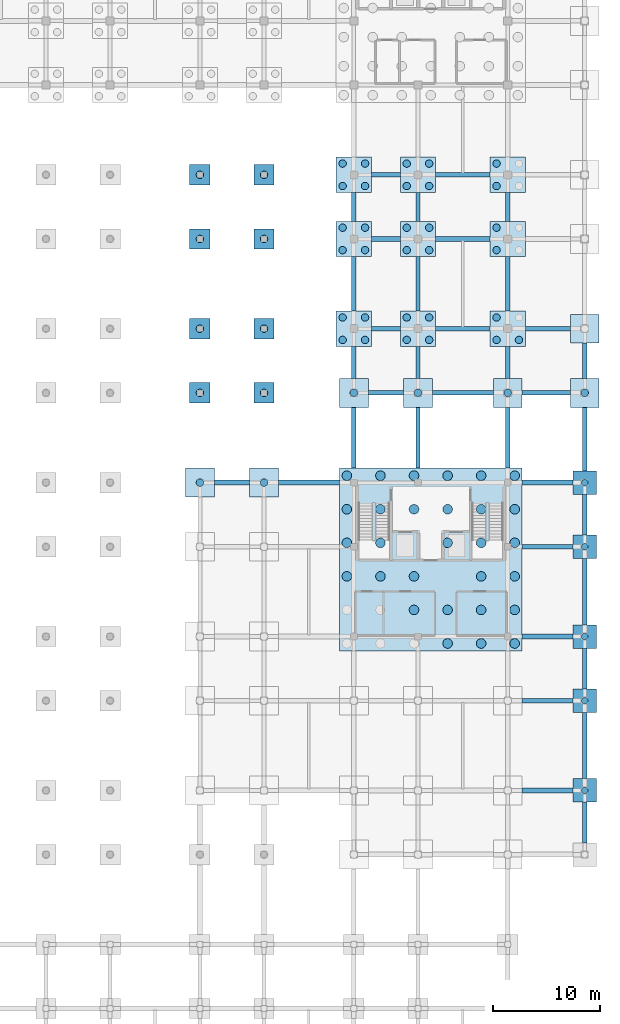
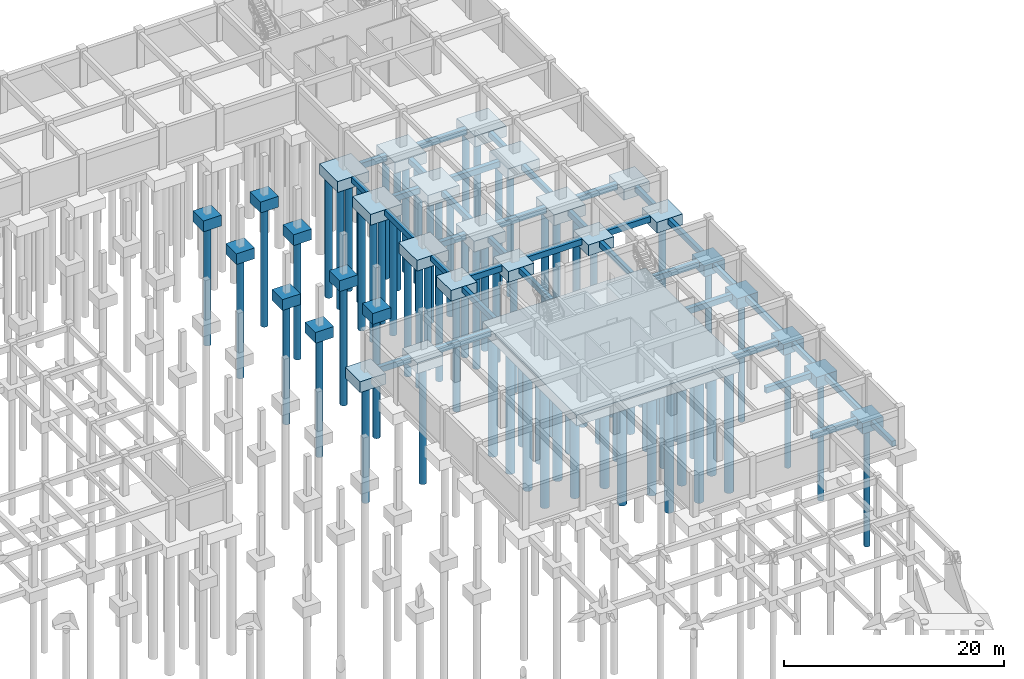
# One storey, part 12 of 40: 79 piles, 66 footings.
"""IFC4 building model written with IfcOpenShell, lengths in metres."""

import ifcopenshell
import ifcopenshell.guid

model = None  # the IFC model being written
_history = None  # IfcOwnerHistory: only IFC2X3 demands one
_inside = {}  # id of a spatial element -> (the spatial element, [elements in it])
_under = {}  # id of a project, library or spatial element -> (it, [spatial elements below it])
_declared = {}  # id of a project -> (the project, [libraries it declares])
_typed = {}  # id of a type object -> (the type object, [elements of that type])
_made_of = {}  # id of a material, layer set ... -> (it, [elements and type objects made of it])


def new_model(schema):
    """Start an empty IFC model of exactly this schema.

    Asked for "IFC4X3", IfcOpenShell would pick the latest addendum, in which some entities
    have other attributes; the version numbers below select the first issue.
    IFC2X3 requires an IfcOwnerHistory on every rooted entity: one is made here for all.
    """
    global model, _history
    if schema == "IFC4X3":
        model = ifcopenshell.file(schema_version=(4, 3, 0, 0))
    else:
        model = ifcopenshell.file(schema=schema)
    _inside.clear()
    _under.clear()
    _declared.clear()
    _typed.clear()
    _made_of.clear()
    _history = None
    if model.schema == "IFC2X3":
        org = make("IfcOrganization", Name="unknown")
        user = make(
            "IfcPersonAndOrganization",
            ThePerson=make("IfcPerson", FamilyName="unknown"),
            TheOrganization=org,
        )
        app = make(
            "IfcApplication",
            ApplicationDeveloper=org,
            Version="unknown",
            ApplicationFullName="unknown",
            ApplicationIdentifier="unknown",
        )
        _history = make(
            "IfcOwnerHistory",
            OwningUser=user,
            OwningApplication=app,
            ChangeAction="ADDED",
            CreationDate=0,
        )
    return model


def make(cls, **values):
    """One entity of the class cls with the attributes given. An attribute that is None is left unset."""
    return model.create_entity(
        cls, **{name: value for name, value in values.items() if value is not None}
    )


def rooted(cls, **values):
    """An entity with a GlobalId (a new one), such as an element, a storey or a relation."""
    return make(cls, GlobalId=ifcopenshell.guid.new(), OwnerHistory=_history, **values)


def si_unit(unit_type, name, prefix=None):
    """IfcSIUnit, for example si_unit("LENGTHUNIT", "METRE", prefix="MILLI")."""
    return make("IfcSIUnit", UnitType=unit_type, Prefix=prefix, Name=name)


def assignment(units):
    """IfcUnitAssignment: the units of a project."""
    return None if units is None else make("IfcUnitAssignment", Units=units)


def point(xyz):
    """IfcCartesianPoint."""
    return None if xyz is None else make("IfcCartesianPoint", Coordinates=xyz)


def direction(xyz):
    """IfcDirection."""
    return None if xyz is None else make("IfcDirection", DirectionRatios=xyz)


def frame(location, z_axis=None, x_axis=None):
    """IfcAxis2Placement3D, a coordinate frame: its origin and axes. An axis left out is left unset."""
    return make(
        "IfcAxis2Placement3D",
        Location=point(location),
        Axis=direction(z_axis),
        RefDirection=direction(x_axis),
    )


def frame_2d(location, x_axis=None):
    """IfcAxis2Placement2D, a coordinate frame in the plane: its origin and x axis."""
    return make(
        "IfcAxis2Placement2D", Location=point(location), RefDirection=direction(x_axis)
    )


def origin():
    """The frame at (0, 0, 0) with its axes left unset."""
    return frame((0.0, 0.0, 0.0))


def origin_2d():
    """The frame at (0, 0) in the plane with its x axis left unset."""
    return frame_2d((0.0, 0.0))


def place(relative_to, where):
    """IfcLocalPlacement: puts the frame where relative to a parent placement (None: the world)."""
    return make(
        "IfcLocalPlacement", PlacementRelTo=relative_to, RelativePlacement=where
    )


def context(
    kind, dimensions, precision=None, world=None, true_north=None, identifier=None
):
    """IfcGeometricRepresentationContext, for example the 3D "Model" context."""
    return make(
        "IfcGeometricRepresentationContext",
        ContextIdentifier=identifier,
        ContextType=kind,
        CoordinateSpaceDimension=dimensions,
        Precision=precision,
        WorldCoordinateSystem=world,
        TrueNorth=true_north,
    )


def subcontext(parent, identifier, kind, view, scale=None):
    """IfcGeometricRepresentationSubContext, for example "Body" below "Model"."""
    return make(
        "IfcGeometricRepresentationSubContext",
        ContextIdentifier=identifier,
        ContextType=kind,
        ParentContext=parent,
        TargetScale=scale,
        TargetView=view,
    )


def project(units=None, contexts=None):
    """IfcProject with its units and contexts."""
    return rooted(
        "IfcProject",
        Name="project",
        RepresentationContexts=contexts,
        UnitsInContext=assignment(units),
    )


def spatial(cls, under=None, at=None, **own):
    """A site, building, storey or space (cls), placed at a placement, below another one or the project."""
    s = rooted(cls, ObjectPlacement=at, **own)
    if under is not None:
        _under.setdefault(under.id(), (under, []))[1].append(s)
    return s


def profile(cls, at=None, kind="AREA", **sizes):
    """A parametric profile (cls). Its sizes go by their IFC names, for example OverallWidth=200.0."""
    return make(cls, ProfileType=kind, Position=at, **sizes)


def rectangle(**sizes):
    """IfcRectangleProfileDef."""
    return profile("IfcRectangleProfileDef", **sizes)


def circle(**sizes):
    """IfcCircleProfileDef."""
    return profile("IfcCircleProfileDef", **sizes)


def extrude(swept, where, along, depth):
    """IfcExtrudedAreaSolid: the profile swept, set in the frame where, extruded along a direction by depth."""
    return make(
        "IfcExtrudedAreaSolid",
        SweptArea=swept,
        Position=where,
        ExtrudedDirection=direction(along),
        Depth=depth,
    )


def shape(context_of_items, identifier, shape_type, items):
    """IfcShapeRepresentation: the items that make up one representation, for example the "Body"."""
    return make(
        "IfcShapeRepresentation",
        ContextOfItems=context_of_items,
        RepresentationIdentifier=identifier,
        RepresentationType=shape_type,
        Items=items,
    )


def material(Name=None, Category=None):
    """IfcMaterial."""
    return make("IfcMaterial", Name=Name, Category=Category)


def material_profile(
    of_material, cross_section, Name=None, Category=None, Priority=None
):
    """IfcMaterialProfile: a cross section and its material."""
    return make(
        "IfcMaterialProfile",
        Name=Name,
        Material=of_material,
        Profile=cross_section,
        Priority=Priority,
        Category=Category,
    )


def profile_set(profiles, Name=None, composite=None):
    """IfcMaterialProfileSet."""
    return make(
        "IfcMaterialProfileSet",
        Name=Name,
        MaterialProfiles=profiles,
        CompositeProfile=composite,
    )


def made_of(thing, what):
    """Note that an element or type object is made of a material, layer set ...; save() writes the relation."""
    if what is not None:
        _made_of.setdefault(what.id(), (what, []))[1].append(thing)
    return thing


def type_object(cls, material=None, **own):
    """A type object (cls), such as IfcWallType, which elements share."""
    return made_of(rooted(cls, **own), material)


def element(
    cls,
    number,
    at=None,
    inside=None,
    cuts=None,
    type_object=None,
    material=None,
    context=None,
    identifier="Body",
    shape_type=None,
    held_by="IfcProductDefinitionShape",
    body=None,
    shapes=None,
    **own,
):
    """One element of the class cls, such as IfcWall. Its Tag is "e" and its number.

    at: its placement. inside: the storey or other place that contains it. cuts: it is an
    opening in that element (IfcRelVoidsElement). A single representation is given by context,
    identifier, shape_type and body (its items); several are given by shapes. held_by: the class
    of the entity that holds the representations. save() writes the other relations.
    """
    e = rooted(cls, Tag="e%d" % number, ObjectPlacement=at, **own)
    if body is not None:
        shapes = [shape(context, identifier, shape_type, body)]
    if shapes is not None:
        e.Representation = make(held_by, Representations=shapes)
    if inside is not None:
        _inside.setdefault(inside.id(), (inside, []))[1].append(e)
    if cuts is not None:
        rooted(
            "IfcRelVoidsElement", RelatingBuildingElement=cuts, RelatedOpeningElement=e
        )
    if type_object is not None:
        _typed.setdefault(type_object.id(), (type_object, []))[1].append(e)
    return made_of(e, material)


def aggregate(whole, parts):
    """IfcRelAggregates: a whole, such as a stair, and the parts it consists of."""
    return rooted("IfcRelAggregates", RelatingObject=whole, RelatedObjects=parts)


def save(model, path):
    """Write the relations noted so far, then the file.

    IfcRelAggregates (storeys below a building ...), IfcRelContainedInSpatialStructure (elements
    in a storey), IfcRelDefinesByType, IfcRelAssociatesMaterial and IfcRelDeclares: one each for
    every whole, place, type object, material and project.
    """
    for whole, parts in _under.values():
        aggregate(whole, parts)
    for where, things in _inside.values():
        rooted(
            "IfcRelContainedInSpatialStructure",
            RelatedElements=things,
            RelatingStructure=where,
        )
    for kind, things in _typed.values():
        rooted("IfcRelDefinesByType", RelatedObjects=things, RelatingType=kind)
    for what, things in _made_of.values():
        rooted("IfcRelAssociatesMaterial", RelatedObjects=things, RelatingMaterial=what)
    for by, libraries in _declared.values():
        rooted("IfcRelDeclares", RelatingContext=by, RelatedDefinitions=libraries)
    model.write(path)


model = new_model("IFC4")

# Units and contexts
model_context = context("Model", 3, precision=1e-05, world=origin(), true_north=direction((0.0, 1.0)))
body_context = subcontext(model_context, "Body", "Model", "MODEL_VIEW")
ifc_project = project(units=[si_unit("LENGTHUNIT", "METRE"), si_unit("AREAUNIT", "SQUARE_METRE"), si_unit("VOLUMEUNIT", "CUBIC_METRE"), si_unit("PLANEANGLEUNIT", "RADIAN"), si_unit("MASSUNIT", "GRAM", prefix="KILO"), si_unit("THERMODYNAMICTEMPERATUREUNIT", "KELVIN")], contexts=[model_context])

# Site, building, storey
site_placement = place(None, origin())
site = spatial("IfcSite", under=ifc_project, at=site_placement, CompositionType="ELEMENT")
building_placement = place(site_placement, origin())
building = spatial("IfcBuilding", under=site, at=building_placement, Name="Thalorik Housing Commons", CompositionType="ELEMENT")
storey_placement = place(building_placement, frame((0.0, 0.0, -4.199951171875)))
storey = spatial("IfcBuildingStorey", under=building, at=storey_placement, Name="B1", CompositionType="ELEMENT", Elevation=-4.199951171875)

# Footings
ifc_material = material(Name="Concrete C40/50", Category="concrete")
footing_type_1 = type_object("IfcFootingType", Name="STR-CAP-17100x17100", PredefinedType="PILE_CAP", material=ifc_material)
footing_1_placement = place(storey_placement, frame((159.60009765625, 64.800048828125, -1.64990234375), z_axis=(0.0, 0.0, 1.0), x_axis=(1.0, 0.0, 0.0)))
element("IfcFooting", 1, at=footing_1_placement, inside=storey, type_object=footing_type_1, Name="B1 Pile Cap 130", PredefinedType="PILE_CAP", context=body_context, shape_type="SweptSolid", body=[
    extrude(rectangle(XDim=17.10009765625, YDim=17.10009765625, at=origin_2d()), origin(), (0.0, 0.0, 1.0), 1.199951171875),
])
footing_type_2 = type_object("IfcFootingType", Name="STR-CAP-1900x1900", PredefinedType="PILE_CAP", material=ifc_material)
for number, where, z_axis, x_axis, name in (
    (2, (138.0, 80.39990234375, -1.64990234375), (0.0, 0.0, 1.0), (1.0, 0.0, 0.0), "B1 Plaza Pile Cap 54"),
    (3, (138.0, 86.39990234375, -1.64990234375), (0.0, 0.0, 1.0), (1.0, 0.0, 0.0), "B1 Plaza Pile Cap 55"),
    (4, (138.0, 94.800048828125, -1.64990234375), (0.0, 0.0, 1.0), (1.0, 0.0, 0.0), "B1 Plaza Pile Cap 56"),
    (5, (138.0, 100.800048828125, -1.64990234375), (0.0, 0.0, 1.0), (1.0, 0.0, 0.0), "B1 Plaza Pile Cap 57"),
    (6, (144.0, 80.39990234375, -1.64990234375), (0.0, 0.0, 1.0), (1.0, 0.0, 0.0), "B1 Plaza Pile Cap 59"),
    (7, (144.0, 86.39990234375, -1.64990234375), (0.0, 0.0, 1.0), (1.0, 0.0, 0.0), "B1 Plaza Pile Cap 60"),
    (8, (144.0, 94.800048828125, -1.64990234375), (0.0, 0.0, 1.0), (1.0, 0.0, 0.0), "B1 Plaza Pile Cap 61"),
    (9, (144.0, 100.800048828125, -1.64990234375), (0.0, 0.0, 1.0), (1.0, 0.0, 0.0), "B1 Plaza Pile Cap 62"),
):
    element("IfcFooting", number, at=place(storey_placement, frame(where, z_axis=z_axis, x_axis=x_axis)), inside=storey, type_object=footing_type_2, Name=name, PredefinedType="PILE_CAP", context=body_context, shape_type="SweptSolid", body=[
        extrude(rectangle(XDim=1.89990234375, YDim=1.89990234375, at=origin_2d()), origin(), (0.0, 0.0, 1.0), 1.199951171875),
    ])
footing_type_3 = type_object("IfcFootingType", Name="STR-CAP-2200x2200", PredefinedType="PILE_CAP", material=ifc_material)
for number, where, z_axis, x_axis, name in (
    (10, (174.0, 43.199951171875, -1.64990234375), (0.0, 0.0, 1.0), (1.0, 0.0, 0.0), "B1 Pile Cap 103"),
    (11, (174.0, 51.60009765625, -1.64990234375), (0.0, 0.0, 1.0), (1.0, 0.0, 0.0), "B1 Pile Cap 118"),
    (12, (174.0, 57.60009765625, -1.64990234375), (0.0, 0.0, 1.0), (1.0, 0.0, 0.0), "B1 Pile Cap 131"),
    (13, (174.0, 66.0, -1.64990234375), (0.0, 0.0, 1.0), (1.0, 0.0, 0.0), "B1 Pile Cap 148"),
    (14, (174.0, 72.0, -1.64990234375), (0.0, 0.0, 1.0), (1.0, 0.0, 0.0), "B1 Pile Cap 163"),
):
    element("IfcFooting", number, at=place(storey_placement, frame(where, z_axis=z_axis, x_axis=x_axis)), inside=storey, type_object=footing_type_3, Name=name, PredefinedType="PILE_CAP", context=body_context, shape_type="SweptSolid", body=[
        extrude(rectangle(XDim=2.199951171875, YDim=2.199951171875, at=origin_2d()), origin(), (0.0, 0.0, 1.0), 1.199951171875),
    ])
footing_type_4 = type_object("IfcFootingType", Name="STR-CAP-2700x2700", PredefinedType="PILE_CAP", material=ifc_material)
for number, where, z_axis, x_axis, name in (
    (15, (138.0, 72.0, -1.64990234375), (0.0, 0.0, 1.0), (1.0, 0.0, 0.0), "B1 Pile Cap 158"),
    (16, (144.0, 72.0, -1.64990234375), (0.0, 0.0, 1.0), (1.0, 0.0, 0.0), "B1 Pile Cap 159"),
    (17, (152.39990234375, 80.39990234375, -1.64990234375), (0.0, 0.0, 1.0), (1.0, 0.0, 0.0), "B1 Pile Cap 172"),
    (18, (158.39990234375, 80.39990234375, -1.64990234375), (0.0, 0.0, 1.0), (1.0, 0.0, 0.0), "B1 Pile Cap 173"),
    (19, (166.800048828125, 80.39990234375, -1.64990234375), (0.0, 0.0, 1.0), (1.0, 0.0, 0.0), "B1 Pile Cap 174"),
    (20, (174.0, 80.39990234375, -1.64990234375), (0.0, 0.0, 1.0), (1.0, 0.0, 0.0), "B1 Pile Cap 175"),
    (21, (174.0, 86.39990234375, -1.64990234375), (0.0, 0.0, 1.0), (1.0, 0.0, 0.0), "B1 Pile Cap 194"),
):
    element("IfcFooting", number, at=place(storey_placement, frame(where, z_axis=z_axis, x_axis=x_axis)), inside=storey, type_object=footing_type_4, Name=name, PredefinedType="PILE_CAP", context=body_context, shape_type="SweptSolid", body=[
        extrude(rectangle(XDim=2.699951171875, YDim=2.699951171875, at=origin_2d()), origin(), (0.0, 0.0, 1.0), 1.199951171875),
    ])
footing_type_5 = type_object("IfcFootingType", Name="STR-CAP-3300x3300", PredefinedType="PILE_CAP", material=ifc_material)
for number, where, z_axis, x_axis, name in (
    (22, (152.39990234375, 86.39990234375, -1.64990234375), (0.0, 0.0, 1.0), (1.0, 0.0, 0.0), "B1 Pile Cap 191"),
    (23, (158.39990234375, 86.39990234375, -1.64990234375), (0.0, 0.0, 1.0), (1.0, 0.0, 0.0), "B1 Pile Cap 192"),
    (24, (166.800048828125, 86.39990234375, -1.64990234375), (0.0, 0.0, 1.0), (1.0, 0.0, 0.0), "B1 Pile Cap 193"),
    (25, (152.39990234375, 94.800048828125, -1.64990234375), (0.0, 0.0, 1.0), (1.0, 0.0, 0.0), "B1 Pile Cap 211"),
    (26, (158.39990234375, 94.800048828125, -1.64990234375), (0.0, 0.0, 1.0), (1.0, 0.0, 0.0), "B1 Pile Cap 212"),
    (27, (166.800048828125, 94.800048828125, -1.64990234375), (0.0, 0.0, 1.0), (1.0, 0.0, 0.0), "B1 Pile Cap 213"),
    (28, (152.39990234375, 100.800048828125, -1.64990234375), (0.0, 0.0, 1.0), (1.0, 0.0, 0.0), "B1 Pile Cap 224"),
    (29, (158.39990234375, 100.800048828125, -1.64990234375), (0.0, 0.0, 1.0), (1.0, 0.0, 0.0), "B1 Pile Cap 225"),
    (30, (166.800048828125, 100.800048828125, -1.64990234375), (0.0, 0.0, 1.0), (1.0, 0.0, 0.0), "B1 Pile Cap 226"),
):
    element("IfcFooting", number, at=place(storey_placement, frame(where, z_axis=z_axis, x_axis=x_axis)), inside=storey, type_object=footing_type_5, Name=name, PredefinedType="PILE_CAP", context=body_context, shape_type="SweptSolid", body=[
        extrude(rectangle(XDim=3.300048828125, YDim=3.300048828125, at=origin_2d()), origin(), (0.0, 0.0, 1.0), 1.199951171875),
    ])
ifc_material_profile_1 = material_profile(ifc_material, rectangle(XDim=0.39990234375, YDim=0.60009765625, at=origin_2d()), Name="RC 400x600", Category="concrete")
ifc_profile_set_1 = profile_set([ifc_material_profile_1], Name="Concrete C40/50")
footing_type_6 = type_object("IfcFootingType", Name="STR-GB-400", PredefinedType="FOOTING_BEAM", material=ifc_profile_set_1)
footing_2_placement = place(storey_placement, frame((152.39990234375, 73.35009765625, -0.75), z_axis=(0.0, 1.0, 0.0), x_axis=(-1.0, 0.0, 0.0)))
element("IfcFooting", 31, at=footing_2_placement, inside=storey, type_object=footing_type_6, Name="B1 Ground Tie-Beam Y 474", PredefinedType="FOOTING_BEAM", context=body_context, shape_type="SweptSolid", body=[
    extrude(rectangle(XDim=0.39990234375, YDim=0.60009765625, at=origin_2d()), origin(), (0.0, 0.0, 1.0), 5.699951171875),
])
footing_3_placement = place(storey_placement, frame((152.39990234375, 81.75, -0.75), z_axis=(0.0, 1.0, 0.0), x_axis=(-1.0, 0.0, 0.0)))
element("IfcFooting", 32, at=footing_3_placement, inside=storey, type_object=footing_type_6, Name="B1 Ground Tie-Beam Y 475", PredefinedType="FOOTING_BEAM", context=body_context, shape_type="SweptSolid", body=[
    extrude(rectangle(XDim=0.39990234375, YDim=0.60009765625, at=origin_2d()), origin(), (0.0, 0.0, 1.0), 3.0),
])
footing_4_placement = place(storey_placement, frame((152.39990234375, 88.050048828125, -0.75), z_axis=(0.0, 1.0, 0.0), x_axis=(-1.0, 0.0, 0.0)))
element("IfcFooting", 33, at=footing_4_placement, inside=storey, type_object=footing_type_6, Name="B1 Ground Tie-Beam Y 476", PredefinedType="FOOTING_BEAM", context=body_context, shape_type="SweptSolid", body=[
    extrude(rectangle(XDim=0.39990234375, YDim=0.60009765625, at=origin_2d()), origin(), (0.0, 0.0, 1.0), 5.099853515625),
])
footing_5_placement = place(storey_placement, frame((152.39990234375, 96.449951171875, -0.75), z_axis=(0.0, 1.0, 0.0), x_axis=(-1.0, 0.0, 0.0)))
element("IfcFooting", 34, at=footing_5_placement, inside=storey, type_object=footing_type_6, Name="B1 Ground Tie-Beam Y 477", PredefinedType="FOOTING_BEAM", context=body_context, shape_type="SweptSolid", body=[
    extrude(rectangle(XDim=0.39990234375, YDim=0.60009765625, at=origin_2d()), origin(), (0.0, 0.0, 1.0), 2.699951171875),
])
footing_6_placement = place(storey_placement, frame((158.39990234375, 73.35009765625, -0.75), z_axis=(0.0, 1.0, 0.0), x_axis=(-1.0, 0.0, 0.0)))
element("IfcFooting", 35, at=footing_6_placement, inside=storey, type_object=footing_type_6, Name="B1 Ground Tie-Beam Y 486", PredefinedType="FOOTING_BEAM", context=body_context, shape_type="SweptSolid", body=[
    extrude(rectangle(XDim=0.39990234375, YDim=0.60009765625, at=origin_2d()), origin(), (0.0, 0.0, 1.0), 5.699951171875),
])
footing_7_placement = place(storey_placement, frame((158.39990234375, 81.75, -0.75), z_axis=(0.0, 1.0, 0.0), x_axis=(-1.0, 0.0, 0.0)))
element("IfcFooting", 36, at=footing_7_placement, inside=storey, type_object=footing_type_6, Name="B1 Ground Tie-Beam Y 487", PredefinedType="FOOTING_BEAM", context=body_context, shape_type="SweptSolid", body=[
    extrude(rectangle(XDim=0.39990234375, YDim=0.60009765625, at=origin_2d()), origin(), (0.0, 0.0, 1.0), 3.0),
])
footing_8_placement = place(storey_placement, frame((158.39990234375, 88.050048828125, -0.75), z_axis=(0.0, 1.0, 0.0), x_axis=(-1.0, 0.0, 0.0)))
element("IfcFooting", 37, at=footing_8_placement, inside=storey, type_object=footing_type_6, Name="B1 Ground Tie-Beam Y 488", PredefinedType="FOOTING_BEAM", context=body_context, shape_type="SweptSolid", body=[
    extrude(rectangle(XDim=0.39990234375, YDim=0.60009765625, at=origin_2d()), origin(), (0.0, 0.0, 1.0), 5.099853515625),
])
footing_9_placement = place(storey_placement, frame((158.39990234375, 96.449951171875, -0.75), z_axis=(0.0, 1.0, 0.0), x_axis=(-1.0, 0.0, 0.0)))
element("IfcFooting", 38, at=footing_9_placement, inside=storey, type_object=footing_type_6, Name="B1 Ground Tie-Beam Y 489", PredefinedType="FOOTING_BEAM", context=body_context, shape_type="SweptSolid", body=[
    extrude(rectangle(XDim=0.39990234375, YDim=0.60009765625, at=origin_2d()), origin(), (0.0, 0.0, 1.0), 2.699951171875),
])
footing_10_placement = place(storey_placement, frame((166.800048828125, 73.35009765625, -0.75), z_axis=(0.0, 1.0, 0.0), x_axis=(-1.0, 0.0, 0.0)))
element("IfcFooting", 39, at=footing_10_placement, inside=storey, type_object=footing_type_6, Name="B1 Ground Tie-Beam Y 497", PredefinedType="FOOTING_BEAM", context=body_context, shape_type="SweptSolid", body=[
    extrude(rectangle(XDim=0.39990234375, YDim=0.60009765625, at=origin_2d()), origin(), (0.0, 0.0, 1.0), 5.699951171875),
])
footing_11_placement = place(storey_placement, frame((166.800048828125, 81.75, -0.75), z_axis=(0.0, 1.0, 0.0), x_axis=(-1.0, 0.0, 0.0)))
element("IfcFooting", 40, at=footing_11_placement, inside=storey, type_object=footing_type_6, Name="B1 Ground Tie-Beam Y 498", PredefinedType="FOOTING_BEAM", context=body_context, shape_type="SweptSolid", body=[
    extrude(rectangle(XDim=0.39990234375, YDim=0.60009765625, at=origin_2d()), origin(), (0.0, 0.0, 1.0), 3.0),
])
footing_12_placement = place(storey_placement, frame((166.800048828125, 88.050048828125, -0.75), z_axis=(0.0, 1.0, 0.0), x_axis=(-1.0, 0.0, 0.0)))
element("IfcFooting", 41, at=footing_12_placement, inside=storey, type_object=footing_type_6, Name="B1 Ground Tie-Beam Y 499", PredefinedType="FOOTING_BEAM", context=body_context, shape_type="SweptSolid", body=[
    extrude(rectangle(XDim=0.39990234375, YDim=0.60009765625, at=origin_2d()), origin(), (0.0, 0.0, 1.0), 5.099853515625),
])
footing_13_placement = place(storey_placement, frame((166.800048828125, 96.449951171875, -0.75), z_axis=(0.0, 1.0, 0.0), x_axis=(-1.0, 0.0, 0.0)))
element("IfcFooting", 42, at=footing_13_placement, inside=storey, type_object=footing_type_6, Name="B1 Ground Tie-Beam Y 500", PredefinedType="FOOTING_BEAM", context=body_context, shape_type="SweptSolid", body=[
    extrude(rectangle(XDim=0.39990234375, YDim=0.60009765625, at=origin_2d()), origin(), (0.0, 0.0, 1.0), 2.699951171875),
])
footing_14_placement = place(storey_placement, frame((174.0, 38.300048828125, -0.75), z_axis=(0.0, 1.0, 0.0), x_axis=(-1.0, 0.0, 0.0)))
element("IfcFooting", 43, at=footing_14_placement, inside=storey, type_object=footing_type_6, Name="B1 Ground Tie-Beam Y 502", PredefinedType="FOOTING_BEAM", context=body_context, shape_type="SweptSolid", body=[
    extrude(rectangle(XDim=0.39990234375, YDim=0.60009765625, at=origin_2d()), origin(), (0.0, 0.0, 1.0), 3.800048828125),
])
footing_15_placement = place(storey_placement, frame((174.0, 44.300048828125, -0.75), z_axis=(0.0, 1.0, 0.0), x_axis=(-1.0, 0.0, 0.0)))
element("IfcFooting", 44, at=footing_15_placement, inside=storey, type_object=footing_type_6, Name="B1 Ground Tie-Beam Y 503", PredefinedType="FOOTING_BEAM", context=body_context, shape_type="SweptSolid", body=[
    extrude(rectangle(XDim=0.39990234375, YDim=0.60009765625, at=origin_2d()), origin(), (0.0, 0.0, 1.0), 6.199951171875),
])
footing_16_placement = place(storey_placement, frame((174.0, 52.699951171875, -0.75), z_axis=(0.0, 1.0, 0.0), x_axis=(-1.0, 0.0, 0.0)))
element("IfcFooting", 45, at=footing_16_placement, inside=storey, type_object=footing_type_6, Name="B1 Ground Tie-Beam Y 504", PredefinedType="FOOTING_BEAM", context=body_context, shape_type="SweptSolid", body=[
    extrude(rectangle(XDim=0.39990234375, YDim=0.60009765625, at=origin_2d()), origin(), (0.0, 0.0, 1.0), 3.800048828125),
])
footing_17_placement = place(storey_placement, frame((174.0, 58.699951171875, -0.75), z_axis=(0.0, 1.0, 0.0), x_axis=(-1.0, 0.0, 0.0)))
element("IfcFooting", 46, at=footing_17_placement, inside=storey, type_object=footing_type_6, Name="B1 Ground Tie-Beam Y 505", PredefinedType="FOOTING_BEAM", context=body_context, shape_type="SweptSolid", body=[
    extrude(rectangle(XDim=0.39990234375, YDim=0.60009765625, at=origin_2d()), origin(), (0.0, 0.0, 1.0), 6.199951171875),
])
footing_18_placement = place(storey_placement, frame((174.0, 67.10009765625, -0.75), z_axis=(0.0, 1.0, 0.0), x_axis=(-1.0, 0.0, 0.0)))
element("IfcFooting", 47, at=footing_18_placement, inside=storey, type_object=footing_type_6, Name="B1 Ground Tie-Beam Y 506", PredefinedType="FOOTING_BEAM", context=body_context, shape_type="SweptSolid", body=[
    extrude(rectangle(XDim=0.39990234375, YDim=0.60009765625, at=origin_2d()), origin(), (0.0, 0.0, 1.0), 3.7998046875),
])
footing_19_placement = place(storey_placement, frame((174.0, 73.10009765625, -0.75), z_axis=(0.0, 1.0, 0.0), x_axis=(-1.0, 0.0, 0.0)))
element("IfcFooting", 48, at=footing_19_placement, inside=storey, type_object=footing_type_6, Name="B1 Ground Tie-Beam Y 507", PredefinedType="FOOTING_BEAM", context=body_context, shape_type="SweptSolid", body=[
    extrude(rectangle(XDim=0.39990234375, YDim=0.60009765625, at=origin_2d()), origin(), (0.0, 0.0, 1.0), 5.949951171875),
])
footing_20_placement = place(storey_placement, frame((174.0, 81.75, -0.75), z_axis=(0.0, 1.0, 0.0), x_axis=(-1.0, 0.0, 0.0)))
element("IfcFooting", 49, at=footing_20_placement, inside=storey, type_object=footing_type_6, Name="B1 Ground Tie-Beam Y 508", PredefinedType="FOOTING_BEAM", context=body_context, shape_type="SweptSolid", body=[
    extrude(rectangle(XDim=0.39990234375, YDim=0.60009765625, at=origin_2d()), origin(), (0.0, 0.0, 1.0), 3.300048828125),
])
ifc_material_profile_2 = material_profile(ifc_material, rectangle(XDim=0.449951171875, YDim=0.64990234375, at=origin_2d()), Name="RC 450x650", Category="concrete")
ifc_profile_set_2 = profile_set([ifc_material_profile_2], Name="Concrete C40/50")
footing_type_7 = type_object("IfcFootingType", Name="STR-GB-500", PredefinedType="FOOTING_BEAM", material=ifc_profile_set_2)
for number, where, z_axis, x_axis, name in (
    (50, (168.14990234375, 43.199951171875, -0.775146484375), (1.0, 0.0, 0.0), (0.0, 1.0, 0.0), "B1 Ground Tie-Beam X 99"),
    (51, (168.14990234375, 51.60009765625, -0.775146484375), (1.0, 0.0, 0.0), (0.0, 1.0, 0.0), "B1 Ground Tie-Beam X 112"),
    (52, (168.14990234375, 57.60009765625, -0.775146484375), (1.0, 0.0, 0.0), (0.0, 1.0, 0.0), "B1 Ground Tie-Beam X 126"),
    (53, (168.14990234375, 66.0, -0.775146484375), (1.0, 0.0, 0.0), (0.0, 1.0, 0.0), "B1 Ground Tie-Beam X 142"),
):
    element("IfcFooting", number, at=place(storey_placement, frame(where, z_axis=z_axis, x_axis=x_axis)), inside=storey, type_object=footing_type_7, Name=name, PredefinedType="FOOTING_BEAM", context=body_context, shape_type="SweptSolid", body=[
        extrude(rectangle(XDim=0.449951171875, YDim=0.64990234375, at=origin_2d()), origin(), (0.0, 0.0, 1.0), 4.75),
    ])
footing_21_placement = place(storey_placement, frame((139.35009765625, 72.0, -0.775146484375), z_axis=(1.0, 0.0, 0.0), x_axis=(0.0, 1.0, 0.0)))
element("IfcFooting", 54, at=footing_21_placement, inside=storey, type_object=footing_type_7, Name="B1 Ground Tie-Beam X 153", PredefinedType="FOOTING_BEAM", context=body_context, shape_type="SweptSolid", body=[
    extrude(rectangle(XDim=0.449951171875, YDim=0.64990234375, at=origin_2d()), origin(), (0.0, 0.0, 1.0), 3.2998046875),
])
footing_22_placement = place(storey_placement, frame((145.35009765625, 72.0, -0.775146484375), z_axis=(1.0, 0.0, 0.0), x_axis=(0.0, 1.0, 0.0)))
element("IfcFooting", 55, at=footing_22_placement, inside=storey, type_object=footing_type_7, Name="B1 Ground Tie-Beam X 154", PredefinedType="FOOTING_BEAM", context=body_context, shape_type="SweptSolid", body=[
    extrude(rectangle(XDim=0.449951171875, YDim=0.64990234375, at=origin_2d()), origin(), (0.0, 0.0, 1.0), 5.699951171875),
])
footing_23_placement = place(storey_placement, frame((168.14990234375, 72.0, -0.775146484375), z_axis=(1.0, 0.0, 0.0), x_axis=(0.0, 1.0, 0.0)))
element("IfcFooting", 56, at=footing_23_placement, inside=storey, type_object=footing_type_7, Name="B1 Ground Tie-Beam X 155", PredefinedType="FOOTING_BEAM", context=body_context, shape_type="SweptSolid", body=[
    extrude(rectangle(XDim=0.449951171875, YDim=0.64990234375, at=origin_2d()), origin(), (0.0, 0.0, 1.0), 4.75),
])
footing_24_placement = place(storey_placement, frame((153.75, 80.39990234375, -0.775146484375), z_axis=(1.0, 0.0, 0.0), x_axis=(0.0, 1.0, 0.0)))
element("IfcFooting", 57, at=footing_24_placement, inside=storey, type_object=footing_type_7, Name="B1 Ground Tie-Beam X 166", PredefinedType="FOOTING_BEAM", context=body_context, shape_type="SweptSolid", body=[
    extrude(rectangle(XDim=0.449951171875, YDim=0.64990234375, at=origin_2d()), origin(), (0.0, 0.0, 1.0), 3.300048828125),
])
footing_25_placement = place(storey_placement, frame((159.75, 80.39990234375, -0.775146484375), z_axis=(1.0, 0.0, 0.0), x_axis=(0.0, 1.0, 0.0)))
element("IfcFooting", 58, at=footing_25_placement, inside=storey, type_object=footing_type_7, Name="B1 Ground Tie-Beam X 167", PredefinedType="FOOTING_BEAM", context=body_context, shape_type="SweptSolid", body=[
    extrude(rectangle(XDim=0.449951171875, YDim=0.64990234375, at=origin_2d()), origin(), (0.0, 0.0, 1.0), 5.699951171875),
])
footing_26_placement = place(storey_placement, frame((168.14990234375, 80.39990234375, -0.775146484375), z_axis=(1.0, 0.0, 0.0), x_axis=(0.0, 1.0, 0.0)))
element("IfcFooting", 59, at=footing_26_placement, inside=storey, type_object=footing_type_7, Name="B1 Ground Tie-Beam X 168", PredefinedType="FOOTING_BEAM", context=body_context, shape_type="SweptSolid", body=[
    extrude(rectangle(XDim=0.449951171875, YDim=0.64990234375, at=origin_2d()), origin(), (0.0, 0.0, 1.0), 4.5),
])
footing_27_placement = place(storey_placement, frame((154.050048828125, 86.39990234375, -0.775146484375), z_axis=(1.0, 0.0, 0.0), x_axis=(0.0, 1.0, 0.0)))
element("IfcFooting", 60, at=footing_27_placement, inside=storey, type_object=footing_type_7, Name="B1 Ground Tie-Beam X 184", PredefinedType="FOOTING_BEAM", context=body_context, shape_type="SweptSolid", body=[
    extrude(rectangle(XDim=0.449951171875, YDim=0.64990234375, at=origin_2d()), origin(), (0.0, 0.0, 1.0), 2.699951171875),
])
footing_28_placement = place(storey_placement, frame((160.050048828125, 86.39990234375, -0.775146484375), z_axis=(1.0, 0.0, 0.0), x_axis=(0.0, 1.0, 0.0)))
element("IfcFooting", 61, at=footing_28_placement, inside=storey, type_object=footing_type_7, Name="B1 Ground Tie-Beam X 185", PredefinedType="FOOTING_BEAM", context=body_context, shape_type="SweptSolid", body=[
    extrude(rectangle(XDim=0.449951171875, YDim=0.64990234375, at=origin_2d()), origin(), (0.0, 0.0, 1.0), 5.099853515625),
])
footing_29_placement = place(storey_placement, frame((168.449951171875, 86.39990234375, -0.775146484375), z_axis=(1.0, 0.0, 0.0), x_axis=(0.0, 1.0, 0.0)))
element("IfcFooting", 62, at=footing_29_placement, inside=storey, type_object=footing_type_7, Name="B1 Ground Tie-Beam X 186", PredefinedType="FOOTING_BEAM", context=body_context, shape_type="SweptSolid", body=[
    extrude(rectangle(XDim=0.449951171875, YDim=0.64990234375, at=origin_2d()), origin(), (0.0, 0.0, 1.0), 4.199951171875),
])
footing_30_placement = place(storey_placement, frame((154.050048828125, 94.800048828125, -0.775146484375), z_axis=(1.0, 0.0, 0.0), x_axis=(0.0, 1.0, 0.0)))
element("IfcFooting", 63, at=footing_30_placement, inside=storey, type_object=footing_type_7, Name="B1 Ground Tie-Beam X 195", PredefinedType="FOOTING_BEAM", context=body_context, shape_type="SweptSolid", body=[
    extrude(rectangle(XDim=0.449951171875, YDim=0.64990234375, at=origin_2d()), origin(), (0.0, 0.0, 1.0), 2.699951171875),
])
footing_31_placement = place(storey_placement, frame((160.050048828125, 94.800048828125, -0.775146484375), z_axis=(1.0, 0.0, 0.0), x_axis=(0.0, 1.0, 0.0)))
element("IfcFooting", 64, at=footing_31_placement, inside=storey, type_object=footing_type_7, Name="B1 Ground Tie-Beam X 196", PredefinedType="FOOTING_BEAM", context=body_context, shape_type="SweptSolid", body=[
    extrude(rectangle(XDim=0.449951171875, YDim=0.64990234375, at=origin_2d()), origin(), (0.0, 0.0, 1.0), 5.099853515625),
])
footing_32_placement = place(storey_placement, frame((154.050048828125, 100.800048828125, -0.775146484375), z_axis=(1.0, 0.0, 0.0), x_axis=(0.0, 1.0, 0.0)))
element("IfcFooting", 65, at=footing_32_placement, inside=storey, type_object=footing_type_7, Name="B1 Ground Tie-Beam X 206", PredefinedType="FOOTING_BEAM", context=body_context, shape_type="SweptSolid", body=[
    extrude(rectangle(XDim=0.449951171875, YDim=0.64990234375, at=origin_2d()), origin(), (0.0, 0.0, 1.0), 2.699951171875),
])
footing_33_placement = place(storey_placement, frame((160.050048828125, 100.800048828125, -0.775146484375), z_axis=(1.0, 0.0, 0.0), x_axis=(0.0, 1.0, 0.0)))
element("IfcFooting", 66, at=footing_33_placement, inside=storey, type_object=footing_type_7, Name="B1 Ground Tie-Beam X 207", PredefinedType="FOOTING_BEAM", context=body_context, shape_type="SweptSolid", body=[
    extrude(rectangle(XDim=0.449951171875, YDim=0.64990234375, at=origin_2d()), origin(), (0.0, 0.0, 1.0), 5.099853515625),
])

# Piles
ifc_material_profile_3 = material_profile(ifc_material, circle(Radius=0.300048828125, at=origin_2d()), Name="BORED PILE D600", Category="concrete")
ifc_profile_set_3 = profile_set([ifc_material_profile_3], Name="Concrete C40/50")
pile_type_1 = type_object("IfcPileType", Name="STR-PILE-D600", PredefinedType="BORED", material=ifc_profile_set_3)
for number, where, z_axis, x_axis, name in (
    (67, (174.0, 43.199951171875, -1.550048828125), (0.0, 0.0, -1.0), (1.0, 0.0, 0.0), "B1 Bored Pile 246"),
    (68, (174.0, 51.60009765625, -1.550048828125), (0.0, 0.0, -1.0), (1.0, 0.0, 0.0), "B1 Bored Pile 261"),
    (69, (174.0, 57.60009765625, -1.550048828125), (0.0, 0.0, -1.0), (1.0, 0.0, 0.0), "B1 Bored Pile 307"),
    (70, (174.0, 66.0, -1.550048828125), (0.0, 0.0, -1.0), (1.0, 0.0, 0.0), "B1 Bored Pile 385"),
    (71, (174.0, 72.0, -1.550048828125), (0.0, 0.0, -1.0), (1.0, 0.0, 0.0), "B1 Bored Pile 400"),
):
    element("IfcPile", number, at=place(storey_placement, frame(where, z_axis=z_axis, x_axis=x_axis)), inside=storey, type_object=pile_type_1, Name=name, PredefinedType="BORED", context=body_context, shape_type="SweptSolid", body=[
        extrude(circle(Radius=0.300048828125, at=origin_2d()), origin(), (0.0, 0.0, 1.0), 13.449951171875),
    ])
ifc_material_profile_4 = material_profile(ifc_material, circle(Radius=0.35009765625, at=origin_2d()), Name="BORED PILE D700", Category="concrete")
ifc_profile_set_4 = profile_set([ifc_material_profile_4], Name="Concrete C40/50")
pile_type_2 = type_object("IfcPileType", Name="STR-PILE-D700", PredefinedType="BORED", material=ifc_profile_set_4)
for number, where, z_axis, x_axis, name in (
    (72, (138.0, 72.0, -1.550048828125), (0.0, 0.0, -1.0), (1.0, 0.0, 0.0), "B1 Bored Pile 395"),
    (73, (144.0, 72.0, -1.550048828125), (0.0, 0.0, -1.0), (1.0, 0.0, 0.0), "B1 Bored Pile 396"),
    (74, (152.39990234375, 80.39990234375, -1.550048828125), (0.0, 0.0, -1.0), (1.0, 0.0, 0.0), "B1 Bored Pile 409"),
    (75, (158.39990234375, 80.39990234375, -1.550048828125), (0.0, 0.0, -1.0), (1.0, 0.0, 0.0), "B1 Bored Pile 410"),
    (76, (166.800048828125, 80.39990234375, -1.550048828125), (0.0, 0.0, -1.0), (1.0, 0.0, 0.0), "B1 Bored Pile 411"),
    (77, (174.0, 80.39990234375, -1.550048828125), (0.0, 0.0, -1.0), (1.0, 0.0, 0.0), "B1 Bored Pile 412"),
    (78, (151.35009765625, 85.35009765625, -1.550048828125), (0.0, 0.0, -1.0), (1.0, 0.0, 0.0), "B1 Bored Pile 437"),
    (79, (151.35009765625, 87.449951171875, -1.550048828125), (0.0, 0.0, -1.0), (1.0, 0.0, 0.0), "B1 Bored Pile 438"),
    (80, (153.449951171875, 85.35009765625, -1.550048828125), (0.0, 0.0, -1.0), (1.0, 0.0, 0.0), "B1 Bored Pile 439"),
    (81, (153.449951171875, 87.449951171875, -1.550048828125), (0.0, 0.0, -1.0), (1.0, 0.0, 0.0), "B1 Bored Pile 440"),
    (82, (157.35009765625, 85.35009765625, -1.550048828125), (0.0, 0.0, -1.0), (1.0, 0.0, 0.0), "B1 Bored Pile 441"),
    (83, (157.35009765625, 87.449951171875, -1.550048828125), (0.0, 0.0, -1.0), (1.0, 0.0, 0.0), "B1 Bored Pile 442"),
    (84, (159.449951171875, 85.35009765625, -1.550048828125), (0.0, 0.0, -1.0), (1.0, 0.0, 0.0), "B1 Bored Pile 443"),
    (85, (159.449951171875, 87.449951171875, -1.550048828125), (0.0, 0.0, -1.0), (1.0, 0.0, 0.0), "B1 Bored Pile 444"),
    (86, (165.75, 85.35009765625, -1.550048828125), (0.0, 0.0, -1.0), (1.0, 0.0, 0.0), "B1 Bored Pile 445"),
    (87, (165.75, 87.449951171875, -1.550048828125), (0.0, 0.0, -1.0), (1.0, 0.0, 0.0), "B1 Bored Pile 446"),
    (88, (167.85009765625, 85.35009765625, -1.550048828125), (0.0, 0.0, -1.0), (1.0, 0.0, 0.0), "B1 Bored Pile 447"),
    (89, (151.35009765625, 93.75, -1.550048828125), (0.0, 0.0, -1.0), (1.0, 0.0, 0.0), "B1 Bored Pile 475"),
    (90, (151.35009765625, 95.85009765625, -1.550048828125), (0.0, 0.0, -1.0), (1.0, 0.0, 0.0), "B1 Bored Pile 476"),
    (91, (153.449951171875, 93.75, -1.550048828125), (0.0, 0.0, -1.0), (1.0, 0.0, 0.0), "B1 Bored Pile 477"),
    (92, (153.449951171875, 95.85009765625, -1.550048828125), (0.0, 0.0, -1.0), (1.0, 0.0, 0.0), "B1 Bored Pile 478"),
    (93, (157.35009765625, 93.75, -1.550048828125), (0.0, 0.0, -1.0), (1.0, 0.0, 0.0), "B1 Bored Pile 479"),
    (94, (157.35009765625, 95.85009765625, -1.550048828125), (0.0, 0.0, -1.0), (1.0, 0.0, 0.0), "B1 Bored Pile 480"),
    (95, (159.449951171875, 93.75, -1.550048828125), (0.0, 0.0, -1.0), (1.0, 0.0, 0.0), "B1 Bored Pile 481"),
    (96, (159.449951171875, 95.85009765625, -1.550048828125), (0.0, 0.0, -1.0), (1.0, 0.0, 0.0), "B1 Bored Pile 482"),
    (97, (165.75, 93.75, -1.550048828125), (0.0, 0.0, -1.0), (1.0, 0.0, 0.0), "B1 Bored Pile 483"),
    (98, (165.75, 95.85009765625, -1.550048828125), (0.0, 0.0, -1.0), (1.0, 0.0, 0.0), "B1 Bored Pile 484"),
    (99, (151.35009765625, 99.75, -1.550048828125), (0.0, 0.0, -1.0), (1.0, 0.0, 0.0), "B1 Bored Pile 506"),
    (100, (151.35009765625, 101.85009765625, -1.550048828125), (0.0, 0.0, -1.0), (1.0, 0.0, 0.0), "B1 Bored Pile 507"),
    (101, (153.449951171875, 99.75, -1.550048828125), (0.0, 0.0, -1.0), (1.0, 0.0, 0.0), "B1 Bored Pile 508"),
    (102, (153.449951171875, 101.85009765625, -1.550048828125), (0.0, 0.0, -1.0), (1.0, 0.0, 0.0), "B1 Bored Pile 509"),
    (103, (157.35009765625, 99.75, -1.550048828125), (0.0, 0.0, -1.0), (1.0, 0.0, 0.0), "B1 Bored Pile 510"),
    (104, (157.35009765625, 101.85009765625, -1.550048828125), (0.0, 0.0, -1.0), (1.0, 0.0, 0.0), "B1 Bored Pile 511"),
    (105, (159.449951171875, 99.75, -1.550048828125), (0.0, 0.0, -1.0), (1.0, 0.0, 0.0), "B1 Bored Pile 512"),
    (106, (159.449951171875, 101.85009765625, -1.550048828125), (0.0, 0.0, -1.0), (1.0, 0.0, 0.0), "B1 Bored Pile 513"),
    (107, (165.75, 99.75, -1.550048828125), (0.0, 0.0, -1.0), (1.0, 0.0, 0.0), "B1 Bored Pile 514"),
    (108, (165.75, 101.85009765625, -1.550048828125), (0.0, 0.0, -1.0), (1.0, 0.0, 0.0), "B1 Bored Pile 515"),
    (109, (138.0, 80.39990234375, -1.550048828125), (0.0, 0.0, -1.0), (1.0, 0.0, 0.0), "B1 Plaza Bored Pile 54"),
    (110, (138.0, 86.39990234375, -1.550048828125), (0.0, 0.0, -1.0), (1.0, 0.0, 0.0), "B1 Plaza Bored Pile 55"),
    (111, (138.0, 94.800048828125, -1.550048828125), (0.0, 0.0, -1.0), (1.0, 0.0, 0.0), "B1 Plaza Bored Pile 56"),
    (112, (138.0, 100.800048828125, -1.550048828125), (0.0, 0.0, -1.0), (1.0, 0.0, 0.0), "B1 Plaza Bored Pile 57"),
    (113, (144.0, 80.39990234375, -1.550048828125), (0.0, 0.0, -1.0), (1.0, 0.0, 0.0), "B1 Plaza Bored Pile 59"),
    (114, (144.0, 86.39990234375, -1.550048828125), (0.0, 0.0, -1.0), (1.0, 0.0, 0.0), "B1 Plaza Bored Pile 60"),
    (115, (144.0, 94.800048828125, -1.550048828125), (0.0, 0.0, -1.0), (1.0, 0.0, 0.0), "B1 Plaza Bored Pile 61"),
    (116, (144.0, 100.800048828125, -1.550048828125), (0.0, 0.0, -1.0), (1.0, 0.0, 0.0), "B1 Plaza Bored Pile 62"),
):
    element("IfcPile", number, at=place(storey_placement, frame(where, z_axis=z_axis, x_axis=x_axis)), inside=storey, type_object=pile_type_2, Name=name, PredefinedType="BORED", context=body_context, shape_type="SweptSolid", body=[
        extrude(circle(Radius=0.35009765625, at=origin_2d()), origin(), (0.0, 0.0, 1.0), 13.449951171875),
    ])
ifc_material_profile_5 = material_profile(ifc_material, circle(Radius=0.449951171875, at=origin_2d()), Name="BORED PILE D900", Category="concrete")
ifc_profile_set_5 = profile_set([ifc_material_profile_5], Name="Concrete C40/50")
pile_type_3 = type_object("IfcPileType", Name="STR-PILE-D900", PredefinedType="BORED", material=ifc_profile_set_5)
for number, where, z_axis, x_axis, name in (
    (117, (151.75, 63.22998046875, -1.550048828125), (0.0, 0.0, -1.0), (1.0, 0.0, 0.0), "B1 Bored Pile 275"),
    (118, (151.75, 66.3701171875, -1.550048828125), (0.0, 0.0, -1.0), (1.0, 0.0, 0.0), "B1 Bored Pile 276"),
    (119, (151.75, 69.510009765625, -1.550048828125), (0.0, 0.0, -1.0), (1.0, 0.0, 0.0), "B1 Bored Pile 277"),
    (120, (151.75, 72.64990234375, -1.550048828125), (0.0, 0.0, -1.0), (1.0, 0.0, 0.0), "B1 Bored Pile 278"),
    (121, (154.889892578125, 63.22998046875, -1.550048828125), (0.0, 0.0, -1.0), (1.0, 0.0, 0.0), "B1 Bored Pile 281"),
    (122, (154.889892578125, 66.3701171875, -1.550048828125), (0.0, 0.0, -1.0), (1.0, 0.0, 0.0), "B1 Bored Pile 282"),
    (123, (154.889892578125, 69.510009765625, -1.550048828125), (0.0, 0.0, -1.0), (1.0, 0.0, 0.0), "B1 Bored Pile 283"),
    (124, (154.889892578125, 72.64990234375, -1.550048828125), (0.0, 0.0, -1.0), (1.0, 0.0, 0.0), "B1 Bored Pile 284"),
    (125, (158.030029296875, 60.090087890625, -1.550048828125), (0.0, 0.0, -1.0), (1.0, 0.0, 0.0), "B1 Bored Pile 286"),
    (126, (158.030029296875, 63.22998046875, -1.550048828125), (0.0, 0.0, -1.0), (1.0, 0.0, 0.0), "B1 Bored Pile 287"),
    (127, (158.030029296875, 69.510009765625, -1.550048828125), (0.0, 0.0, -1.0), (1.0, 0.0, 0.0), "B1 Bored Pile 288"),
    (128, (158.030029296875, 72.64990234375, -1.550048828125), (0.0, 0.0, -1.0), (1.0, 0.0, 0.0), "B1 Bored Pile 289"),
    (129, (161.169921875, 56.949951171875, -1.550048828125), (0.0, 0.0, -1.0), (1.0, 0.0, 0.0), "B1 Bored Pile 290"),
    (130, (161.169921875, 60.090087890625, -1.550048828125), (0.0, 0.0, -1.0), (1.0, 0.0, 0.0), "B1 Bored Pile 291"),
    (131, (161.169921875, 66.3701171875, -1.550048828125), (0.0, 0.0, -1.0), (1.0, 0.0, 0.0), "B1 Bored Pile 292"),
    (132, (161.169921875, 69.510009765625, -1.550048828125), (0.0, 0.0, -1.0), (1.0, 0.0, 0.0), "B1 Bored Pile 293"),
    (133, (161.169921875, 72.64990234375, -1.550048828125), (0.0, 0.0, -1.0), (1.0, 0.0, 0.0), "B1 Bored Pile 294"),
    (134, (164.31005859375, 56.949951171875, -1.550048828125), (0.0, 0.0, -1.0), (1.0, 0.0, 0.0), "B1 Bored Pile 295"),
    (135, (164.31005859375, 60.090087890625, -1.550048828125), (0.0, 0.0, -1.0), (1.0, 0.0, 0.0), "B1 Bored Pile 296"),
    (136, (164.31005859375, 63.22998046875, -1.550048828125), (0.0, 0.0, -1.0), (1.0, 0.0, 0.0), "B1 Bored Pile 297"),
    (137, (164.31005859375, 66.3701171875, -1.550048828125), (0.0, 0.0, -1.0), (1.0, 0.0, 0.0), "B1 Bored Pile 298"),
    (138, (164.31005859375, 69.510009765625, -1.550048828125), (0.0, 0.0, -1.0), (1.0, 0.0, 0.0), "B1 Bored Pile 299"),
    (139, (164.31005859375, 72.64990234375, -1.550048828125), (0.0, 0.0, -1.0), (1.0, 0.0, 0.0), "B1 Bored Pile 300"),
    (140, (167.449951171875, 56.949951171875, -1.550048828125), (0.0, 0.0, -1.0), (1.0, 0.0, 0.0), "B1 Bored Pile 301"),
    (141, (167.449951171875, 60.090087890625, -1.550048828125), (0.0, 0.0, -1.0), (1.0, 0.0, 0.0), "B1 Bored Pile 302"),
    (142, (167.449951171875, 63.22998046875, -1.550048828125), (0.0, 0.0, -1.0), (1.0, 0.0, 0.0), "B1 Bored Pile 303"),
    (143, (167.449951171875, 66.3701171875, -1.550048828125), (0.0, 0.0, -1.0), (1.0, 0.0, 0.0), "B1 Bored Pile 304"),
    (144, (167.449951171875, 69.510009765625, -1.550048828125), (0.0, 0.0, -1.0), (1.0, 0.0, 0.0), "B1 Bored Pile 305"),
    (145, (167.449951171875, 72.64990234375, -1.550048828125), (0.0, 0.0, -1.0), (1.0, 0.0, 0.0), "B1 Bored Pile 306"),
):
    element("IfcPile", number, at=place(storey_placement, frame(where, z_axis=z_axis, x_axis=x_axis)), inside=storey, type_object=pile_type_3, Name=name, PredefinedType="BORED", context=body_context, shape_type="SweptSolid", body=[
        extrude(circle(Radius=0.449951171875, at=origin_2d()), origin(), (0.0, 0.0, 1.0), 13.449951171875),
    ])

save(model, "model.ifc")
